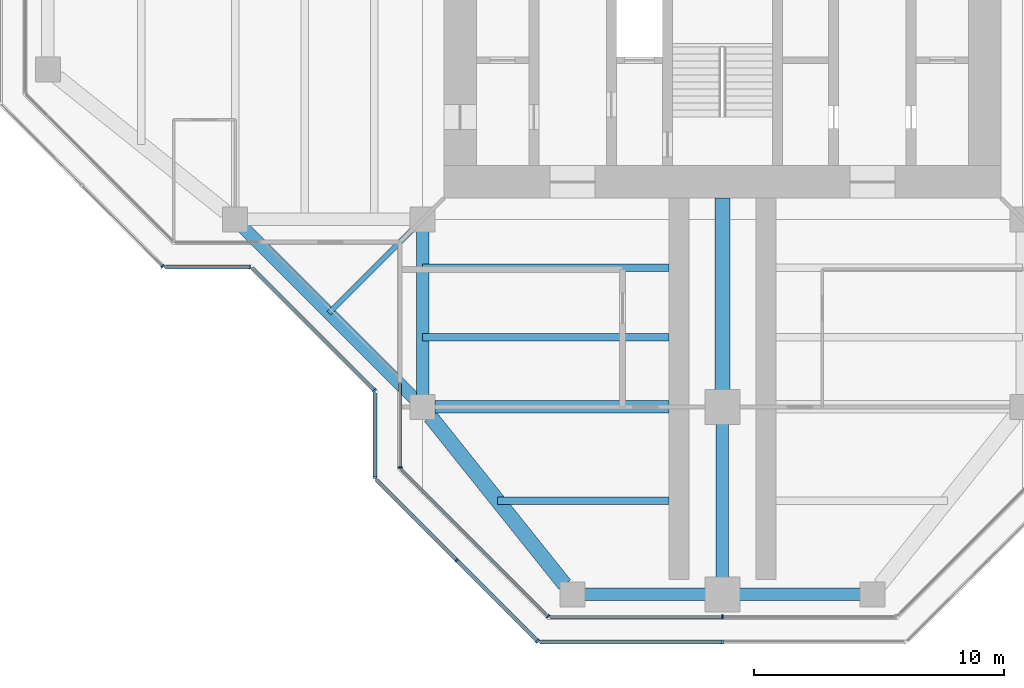
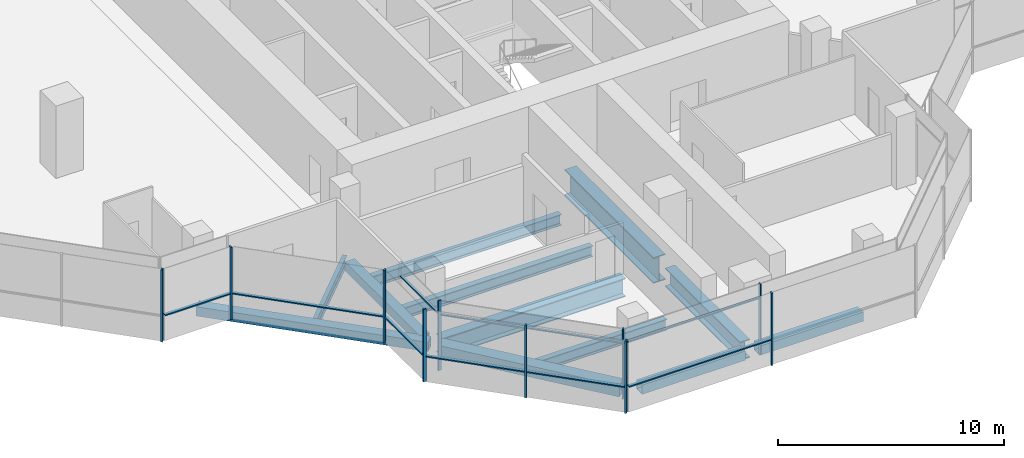
# One storey, part 2 of 15: 19 members, 12 beams, 9 elements without a shape of their own.
"""IFC4 building model written with IfcOpenShell, lengths in metres."""

from ifc_helpers import new_model, si_unit, direction, frame, origin, origin_2d, place, context, subcontext, project, spatial, rectangle, hollow_rectangle, i_section, extrude, material, material_profile, profile_set, type_object, element, aggregate, save


model = new_model("IFC4")

# Units and contexts
model_context = context("Model", 3, precision=1e-05, world=origin(), true_north=direction((0.0, 1.0)))
body_context = subcontext(model_context, "Body", "Model", "MODEL_VIEW")
ifc_project = project(units=[si_unit("LENGTHUNIT", "METRE"), si_unit("AREAUNIT", "SQUARE_METRE"), si_unit("VOLUMEUNIT", "CUBIC_METRE"), si_unit("PLANEANGLEUNIT", "RADIAN"), si_unit("MASSUNIT", "GRAM", prefix="KILO")], contexts=[model_context])

# Site, building, storey
site_placement = place(None, origin())
site = spatial("IfcSite", under=ifc_project, at=site_placement, CompositionType="ELEMENT")
building_placement = place(site_placement, origin())
building = spatial("IfcBuilding", under=site, at=building_placement, Name="Mizan Broadcast Tower", CompositionType="ELEMENT")
storey_placement = place(building_placement, frame((0.0, 0.0, 279.0)))
storey = spatial("IfcBuildingStorey", under=building, at=storey_placement, Name="L66", CompositionType="ELEMENT", Elevation=279.0)

# Beams
ifc_material_1 = material(Name="Steel S355", Category="steel")
ifc_material_profile_1 = material_profile(ifc_material_1, hollow_rectangle(XDim=0.5, YDim=0.5, WallThickness=0.030029296875, at=origin_2d()), Name="BOX 500x500x30")
ifc_profile_set_1 = profile_set([ifc_material_profile_1], Name="Steel S355")
beam_type_1 = type_object("IfcBeamType", Name="EDGE BEAM BOX 500x500x30", PredefinedType="SPANDREL", material=ifc_profile_set_1)
beam_1_placement = place(storey_placement, frame((-12.0, -12.449951171875, -0.3798828125), z_axis=(0.0, -1.0, 0.0), x_axis=(1.0, 0.0, 0.0)))
element("IfcBeam", 1, at=beam_1_placement, inside=storey, type_object=beam_type_1, Name="Edge beam BOX 500x500x30 L66 south arm", PredefinedType="SPANDREL", context=body_context, shape_type="SweptSolid", body=[
    extrude(hollow_rectangle(XDim=0.5, YDim=0.5, WallThickness=0.030029296875, at=origin_2d()), origin(), (0.0, 0.0, 1.0), 6.60009765625),
])
for number, where, z_axis, x_axis, name in (
    (2, (-5.639892578125, -27.0, -0.3798828125), (1.0, 0.0, 0.0), (0.0, 1.0, 0.0), "Edge beam BOX 500x500x30 L66 south arm"),
    (3, (5.639892578125, -27.0, -0.3798828125), (-1.0, 0.0, 0.0), (0.0, -1.0, 0.0), "Edge beam BOX 500x500x30 L66 south arm"),
):
    element("IfcBeam", number, at=place(storey_placement, frame(where, z_axis=z_axis, x_axis=x_axis)), inside=storey, type_object=beam_type_1, Name=name, PredefinedType="SPANDREL", context=body_context, shape_type="SweptSolid", body=[
        extrude(hollow_rectangle(XDim=0.5, YDim=0.5, WallThickness=0.030029296875, at=origin_2d()), origin(), (0.0, 0.0, 1.0), 5.27978515625),
    ])
beam_2_placement = place(storey_placement, frame((-19.5, -12.0, -0.3798828125), z_axis=(0.707106781187, -0.707106781187, 0.0), x_axis=(0.707106781187, 0.707106781187, 0.0)))
element("IfcBeam", 4, at=beam_2_placement, inside=storey, type_object=beam_type_1, Name="Winter garden edge beam L66 W", PredefinedType="SPANDREL", context=body_context, shape_type="SweptSolid", body=[
    extrude(hollow_rectangle(XDim=0.5, YDim=0.5, WallThickness=0.030029296875, at=origin_2d()), origin(), (0.0, 0.0, 1.0), 10.606689453125),
])
ifc_material_2 = material(Name="Steel S355", Category="steel")
ifc_material_profile_2 = material_profile(ifc_material_2, hollow_rectangle(XDim=0.60009765625, YDim=0.60009765625, WallThickness=0.030029296875, at=origin_2d()), Name="BOX 600x600x30")
ifc_profile_set_2 = profile_set([ifc_material_profile_2], Name="Steel S355")
beam_type_2 = type_object("IfcBeamType", Name="EDGE BEAM BOX 600x600x30", PredefinedType="SPANDREL", material=ifc_profile_set_2)
beam_3_placement = place(storey_placement, frame((-11.687744140625, -19.890380859375, -0.429931640625), z_axis=(0.62470196761, -0.780863273348, 0.0), x_axis=(0.780863273348, 0.62470196761, 0.0)))
element("IfcBeam", 5, at=beam_3_placement, inside=storey, type_object=beam_type_2, Name="Edge beam BOX 600x600x30 L66 south arm", PredefinedType="SPANDREL", context=body_context, shape_type="SweptSolid", body=[
    extrude(hollow_rectangle(XDim=0.60009765625, YDim=0.60009765625, WallThickness=0.030029296875, at=origin_2d()), origin(), (0.0, 0.0, 1.0), 8.60498046875),
])
ifc_material_3 = material(Name="Steel S460", Category="steel")
ifc_material_profile_3 = material_profile(ifc_material_3, i_section(OverallWidth=0.5, OverallDepth=1.0, WebThickness=0.02490234375, FlangeThickness=0.050048828125, at=origin_2d()), Name="WPG 1000x500")
ifc_profile_set_3 = profile_set([ifc_material_profile_3], Name="Steel S460")
beam_type_3 = type_object("IfcBeamType", Name="GIRDER WPG 1000x500", PredefinedType="BEAM", material=ifc_profile_set_3)
beam_4_placement = place(storey_placement, frame((0.0, -19.949951171875, -0.6298828125), z_axis=(0.0, -1.0, 0.0), x_axis=(1.0, 0.0, 0.0)))
element("IfcBeam", 6, at=beam_4_placement, inside=storey, type_object=beam_type_3, Name="Girder WPG 1000x500 L66 south arm", PredefinedType="BEAM", context=body_context, shape_type="SweptSolid", body=[
    extrude(i_section(OverallWidth=0.5, OverallDepth=1.0, WebThickness=0.02490234375, FlangeThickness=0.050048828125, at=origin_2d()), origin(), (0.0, 0.0, 1.0), 6.60009765625),
])
beam_5_placement = place(storey_placement, frame((-11.5, -19.5, -0.6298828125), z_axis=(1.0, 0.0, 0.0), x_axis=(0.0, 1.0, 0.0)))
element("IfcBeam", 7, at=beam_5_placement, inside=storey, type_object=beam_type_3, Name="Girder WPG 1000x500 L66 south arm", PredefinedType="BEAM", context=body_context, shape_type="SweptSolid", body=[
    extrude(i_section(OverallWidth=0.5, OverallDepth=1.0, WebThickness=0.02490234375, FlangeThickness=0.050048828125, at=origin_2d()), origin(), (0.0, 0.0, 1.0), 9.35009765625),
])
ifc_material_4 = material(Name="Steel S460", Category="steel")
ifc_material_profile_4 = material_profile(ifc_material_4, i_section(OverallWidth=0.60009765625, OverallDepth=1.39990234375, WebThickness=0.02490234375, FlangeThickness=0.06005859375, at=origin_2d()), Name="WPG 1400x600")
ifc_profile_set_4 = profile_set([ifc_material_profile_4], Name="Steel S460")
beam_type_4 = type_object("IfcBeamType", Name="GIRDER WPG 1400x600", PredefinedType="BEAM", material=ifc_profile_set_4)
beam_6_placement = place(storey_placement, frame((0.0, -11.14990234375, -0.830078125), z_axis=(0.0, -1.0, 0.0), x_axis=(1.0, 0.0, 0.0)))
element("IfcBeam", 8, at=beam_6_placement, inside=storey, type_object=beam_type_4, Name="Girder WPG 1400x600 L66 south arm", PredefinedType="BEAM", context=body_context, shape_type="SweptSolid", body=[
    extrude(i_section(OverallWidth=0.60009765625, OverallDepth=1.39990234375, WebThickness=0.02490234375, FlangeThickness=0.06005859375, at=origin_2d()), origin(), (0.0, 0.0, 1.0), 7.84912109375),
])

# Curtain wall, member
ifc_material_5 = material(Name="Aluminium framed glazing", Category="aluminium")
curtain_wall_type_1 = type_object("IfcCurtainWallType", Name="INNER SKIN TOP ZONE", PredefinedType="USERDEFINED", material=ifc_material_5)
curtain_wall_1_placement = place(storey_placement, origin())
curtain_wall_1 = element("IfcCurtainWall", 9, at=curtain_wall_1_placement, inside=storey, type_object=curtain_wall_type_1, Name="Inner skin top zone L66 S side", ObjectType="INNER SKIN TOP ZONE", PredefinedType="USERDEFINED")
ifc_material_6 = material(Name="Aluminium, pale anodised", Category="aluminium")
ifc_material_profile_5 = material_profile(ifc_material_6, rectangle(XDim=0.159912109375, YDim=0.06005859375, at=origin_2d()), Name="MULLION 160x60")
ifc_profile_set_5 = profile_set([ifc_material_profile_5], Name="Aluminium, pale anodised")
member_type_1 = type_object("IfcMemberType", Name="INNER SKIN MULLION 60x160", PredefinedType="MULLION", material=ifc_profile_set_5)
member_1_placement = place(storey_placement, frame((-12.89990234375, -21.928466796875, 0.0), z_axis=(0.0, 0.0, 1.0), x_axis=(1.0, 0.0, 0.0)))
member_1 = element("IfcMember", 10, at=member_1_placement, type_object=member_type_1, Name="Inner skin top zone L66 S side mullion 2", PredefinedType="MULLION", context=body_context, shape_type="SweptSolid", body=[
    extrude(rectangle(XDim=0.159912109375, YDim=0.06005859375, at=origin_2d()), origin(), (0.0, 0.0, 1.0), 3.77001953125),
])

curtain_wall_2_placement = place(storey_placement, origin())
curtain_wall_2 = element("IfcCurtainWall", 11, at=curtain_wall_2_placement, inside=storey, type_object=curtain_wall_type_1, Name="Inner skin top zone L66 S chamfer", ObjectType="INNER SKIN TOP ZONE", PredefinedType="USERDEFINED")
member_2_placement = place(storey_placement, frame((-6.979736328125, -27.87890625, 0.0), z_axis=(0.0, 0.0, 1.0), x_axis=(0.707106781187, 0.707106781187, 0.0)))
member_2 = element("IfcMember", 12, at=member_2_placement, type_object=member_type_1, Name="Inner skin top zone L66 S chamfer mullion 2", PredefinedType="MULLION", context=body_context, shape_type="SweptSolid", body=[
    extrude(rectangle(XDim=0.159912109375, YDim=0.06005859375, at=origin_2d()), origin(), (0.0, 0.0, 1.0), 3.77001953125),
])

curtain_wall_3_placement = place(storey_placement, origin())
curtain_wall_3 = element("IfcCurtainWall", 13, at=curtain_wall_3_placement, inside=storey, type_object=curtain_wall_type_1, Name="Inner skin top zone L66 S end", ObjectType="INNER SKIN TOP ZONE", PredefinedType="USERDEFINED")
member_3_placement = place(storey_placement, frame((0.0, -27.89990234375, 0.0), z_axis=(0.0, 0.0, 1.0), x_axis=(0.0, 1.0, 0.0)))
member_3 = element("IfcMember", 14, at=member_3_placement, type_object=member_type_1, Name="Inner skin top zone L66 S end mullion 2", PredefinedType="MULLION", context=body_context, shape_type="SweptSolid", body=[
    extrude(rectangle(XDim=0.159912109375, YDim=0.06005859375, at=origin_2d()), origin(), (0.0, 0.0, 1.0), 3.77001953125),
])

# Member
ifc_material_7 = material(Name="Aluminium, pale anodised", Category="aluminium")
ifc_material_profile_6 = material_profile(ifc_material_7, rectangle(XDim=0.1201171875, YDim=0.06005859375, at=origin_2d()), Name="TRANSOM 120x60")
ifc_profile_set_6 = profile_set([ifc_material_profile_6], Name="Aluminium, pale anodised")
member_type_2 = type_object("IfcMemberType", Name="INNER SKIN TRANSOM 60x120", PredefinedType="USERDEFINED", material=ifc_profile_set_6)
member_4_placement = place(storey_placement, frame((-12.89990234375, -18.56005859375, 3.030029296875), z_axis=(0.0, -1.0, 0.0), x_axis=(1.0, 0.0, 0.0)))
member_4 = element("IfcMember", 15, at=member_4_placement, type_object=member_type_2, Name="Inner skin top zone L66 S side transom 1.1", ObjectType="TRANSOM", PredefinedType="USERDEFINED", context=body_context, shape_type="SweptSolid", body=[
    extrude(rectangle(XDim=0.1201171875, YDim=0.06005859375, at=origin_2d()), origin(), (0.0, 0.0, 1.0), 3.338623046875),
])

aggregate(curtain_wall_1, [member_1, member_4])

member_5_placement = place(storey_placement, frame((-12.857666015625, -22.0009765625, 3.030029296875), z_axis=(0.707106781187, -0.707106781187, 0.0), x_axis=(0.707106781187, 0.707106781187, 0.0)))
member_5 = element("IfcMember", 16, at=member_5_placement, type_object=member_type_2, Name="Inner skin top zone L66 S chamfer transom 1.1", ObjectType="TRANSOM", PredefinedType="USERDEFINED", context=body_context, shape_type="SweptSolid", body=[
    extrude(rectangle(XDim=0.1201171875, YDim=0.06005859375, at=origin_2d()), origin(), (0.0, 0.0, 1.0), 8.28271484375),
])

aggregate(curtain_wall_2, [member_2, member_5])

member_6_placement = place(storey_placement, frame((-6.898681640625, -27.89990234375, 3.030029296875), z_axis=(1.0, 0.0, 0.0), x_axis=(0.0, 1.0, 0.0)))
member_6 = element("IfcMember", 17, at=member_6_placement, type_object=member_type_2, Name="Inner skin top zone L66 S end transom 1.1", ObjectType="TRANSOM", PredefinedType="USERDEFINED", context=body_context, shape_type="SweptSolid", body=[
    extrude(rectangle(XDim=0.1201171875, YDim=0.06005859375, at=origin_2d()), origin(), (0.0, 0.0, 1.0), 6.86865234375),
])

aggregate(curtain_wall_3, [member_3, member_6])

# Curtain wall, member
ifc_material_8 = material(Name="Aluminium framed glazing", Category="aluminium")
curtain_wall_type_2 = type_object("IfcCurtainWallType", Name="OUTER SKIN", PredefinedType="USERDEFINED", material=ifc_material_8)
curtain_wall_4_placement = place(storey_placement, origin())
curtain_wall_4 = element("IfcCurtainWall", 18, at=curtain_wall_4_placement, inside=storey, type_object=curtain_wall_type_2, Name="Outer skin L66 W chamfer", ObjectType="OUTER SKIN", PredefinedType="USERDEFINED")
ifc_material_9 = material(Name="Aluminium, pale anodised", Category="aluminium")
ifc_material_profile_7 = material_profile(ifc_material_9, rectangle(XDim=0.159912109375, YDim=0.080078125, at=origin_2d()), Name="MULLION 160x80")
ifc_profile_set_7 = profile_set([ifc_material_profile_7], Name="Aluminium, pale anodised")
member_type_3 = type_object("IfcMemberType", Name="OUTER SKIN MULLION 80x160", PredefinedType="MULLION", material=ifc_profile_set_7)
member_7_placement = place(storey_placement, frame((-22.401123046875, -13.871826171875, 0.0), z_axis=(0.0, 0.0, 1.0), x_axis=(0.707106781187, 0.707106781187, 0.0)))
member_7 = element("IfcMember", 19, at=member_7_placement, type_object=member_type_3, Name="Outer skin L66 W chamfer mullion 3", PredefinedType="MULLION", context=body_context, shape_type="SweptSolid", body=[
    extrude(rectangle(XDim=0.159912109375, YDim=0.080078125, at=origin_2d()), origin(), (0.0, 0.0, 1.0), 3.89990234375),
])
aggregate(curtain_wall_4, [member_7])

curtain_wall_5_placement = place(storey_placement, origin())
curtain_wall_5 = element("IfcCurtainWall", 20, at=curtain_wall_5_placement, inside=storey, type_object=curtain_wall_type_2, Name="Outer skin L66 W side", ObjectType="OUTER SKIN", PredefinedType="USERDEFINED")
member_8_placement = place(storey_placement, frame((-18.912841796875, -13.89990234375, 0.0), z_axis=(0.0, 0.0, 1.0), x_axis=(0.0, 1.0, 0.0)))
member_8 = element("IfcMember", 21, at=member_8_placement, type_object=member_type_3, Name="Outer skin L66 W side mullion 2", PredefinedType="MULLION", context=body_context, shape_type="SweptSolid", body=[
    extrude(rectangle(XDim=0.159912109375, YDim=0.080078125, at=origin_2d()), origin(), (0.0, 0.0, 1.0), 3.89990234375),
])

curtain_wall_6_placement = place(storey_placement, origin())
curtain_wall_6 = element("IfcCurtainWall", 22, at=curtain_wall_6_placement, inside=storey, type_object=curtain_wall_type_2, Name="Outer skin L66 W chamfer", ObjectType="OUTER SKIN", PredefinedType="USERDEFINED")
member_9_placement = place(storey_placement, frame((-13.92822265625, -18.844482421875, 0.0), z_axis=(0.0, 0.0, 1.0), x_axis=(0.707106781187, 0.707106781187, 0.0)))
member_9 = element("IfcMember", 23, at=member_9_placement, type_object=member_type_3, Name="Outer skin L66 W chamfer mullion 2", PredefinedType="MULLION", context=body_context, shape_type="SweptSolid", body=[
    extrude(rectangle(XDim=0.159912109375, YDim=0.080078125, at=origin_2d()), origin(), (0.0, 0.0, 1.0), 3.89990234375),
])

curtain_wall_7_placement = place(storey_placement, origin())
curtain_wall_7 = element("IfcCurtainWall", 24, at=curtain_wall_7_placement, inside=storey, type_object=curtain_wall_type_2, Name="Outer skin L66 S side", ObjectType="OUTER SKIN", PredefinedType="USERDEFINED")
member_10_placement = place(storey_placement, frame((-13.89990234375, -22.332763671875, 0.0), z_axis=(0.0, 0.0, 1.0), x_axis=(1.0, 0.0, 0.0)))
member_10 = element("IfcMember", 25, at=member_10_placement, type_object=member_type_3, Name="Outer skin L66 S side mullion 2", PredefinedType="MULLION", context=body_context, shape_type="SweptSolid", body=[
    extrude(rectangle(XDim=0.159912109375, YDim=0.080078125, at=origin_2d()), origin(), (0.0, 0.0, 1.0), 3.89990234375),
])

# Curtain wall, members
curtain_wall_8_placement = place(storey_placement, origin())
curtain_wall_8 = element("IfcCurtainWall", 26, at=curtain_wall_8_placement, inside=storey, type_object=curtain_wall_type_2, Name="Outer skin L66 S chamfer", ObjectType="OUTER SKIN", PredefinedType="USERDEFINED")
member_11_placement = place(storey_placement, frame((-10.636474609375, -25.636474609375, 0.0), z_axis=(0.0, 0.0, 1.0), x_axis=(0.707106781187, 0.707106781187, 0.0)))
member_11 = element("IfcMember", 27, at=member_11_placement, type_object=member_type_3, Name="Outer skin L66 S chamfer mullion 2", PredefinedType="MULLION", context=body_context, shape_type="SweptSolid", body=[
    extrude(rectangle(XDim=0.159912109375, YDim=0.080078125, at=origin_2d()), origin(), (0.0, 0.0, 1.0), 3.89990234375),
])
member_12_placement = place(storey_placement, frame((-7.401123046875, -28.871826171875, 0.0), z_axis=(0.0, 0.0, 1.0), x_axis=(0.707106781187, 0.707106781187, 0.0)))
member_12 = element("IfcMember", 28, at=member_12_placement, type_object=member_type_3, Name="Outer skin L66 S chamfer mullion 3", PredefinedType="MULLION", context=body_context, shape_type="SweptSolid", body=[
    extrude(rectangle(XDim=0.159912109375, YDim=0.080078125, at=origin_2d()), origin(), (0.0, 0.0, 1.0), 3.89990234375),
])

# Curtain wall, member
curtain_wall_9_placement = place(storey_placement, origin())
curtain_wall_9 = element("IfcCurtainWall", 29, at=curtain_wall_9_placement, inside=storey, type_object=curtain_wall_type_2, Name="Outer skin L66 S end", ObjectType="OUTER SKIN", PredefinedType="USERDEFINED")
member_13_placement = place(storey_placement, frame((0.0, -28.89990234375, 0.0), z_axis=(0.0, 0.0, 1.0), x_axis=(0.0, 1.0, 0.0)))
member_13 = element("IfcMember", 30, at=member_13_placement, type_object=member_type_3, Name="Outer skin L66 S end mullion 2", PredefinedType="MULLION", context=body_context, shape_type="SweptSolid", body=[
    extrude(rectangle(XDim=0.159912109375, YDim=0.080078125, at=origin_2d()), origin(), (0.0, 0.0, 1.0), 3.89990234375),
])

# Member
ifc_material_10 = material(Name="Aluminium, pale anodised", Category="aluminium")
ifc_material_profile_8 = material_profile(ifc_material_10, rectangle(XDim=0.159912109375, YDim=0.06005859375, at=origin_2d()), Name="TRANSOM 160x60")
ifc_profile_set_8 = profile_set([ifc_material_profile_8], Name="Aluminium, pale anodised")
member_type_4 = type_object("IfcMemberType", Name="OUTER SKIN TRANSOM 60x160", PredefinedType="USERDEFINED", material=ifc_profile_set_8)
member_14_placement = place(storey_placement, frame((-22.292724609375, -13.89990234375, 1.39990234375), z_axis=(1.0, 0.0, 0.0), x_axis=(0.0, 1.0, 0.0)))
member_14 = element("IfcMember", 31, at=member_14_placement, type_object=member_type_4, Name="Outer skin L66 W side transom 1.1", ObjectType="TRANSOM", PredefinedType="USERDEFINED", context=body_context, shape_type="SweptSolid", body=[
    extrude(rectangle(XDim=0.159912109375, YDim=0.06005859375, at=origin_2d()), origin(), (0.0, 0.0, 1.0), 3.33984375),
])

aggregate(curtain_wall_5, [member_8, member_14])

member_15_placement = place(storey_placement, frame((-18.816162109375, -13.95654296875, 1.39990234375), z_axis=(0.707106781187, -0.707106781187, 0.0), x_axis=(0.707106781187, 0.707106781187, 0.0)))
member_15 = element("IfcMember", 32, at=member_15_placement, type_object=member_type_4, Name="Outer skin L66 W chamfer transom 1.1", ObjectType="TRANSOM", PredefinedType="USERDEFINED", context=body_context, shape_type="SweptSolid", body=[
    extrude(rectangle(XDim=0.159912109375, YDim=0.06005859375, at=origin_2d()), origin(), (0.0, 0.0, 1.0), 6.87255859375),
])

aggregate(curtain_wall_6, [member_9, member_15])

member_16_placement = place(storey_placement, frame((-13.89990234375, -18.952880859375, 1.39990234375), z_axis=(0.0, -1.0, 0.0), x_axis=(1.0, 0.0, 0.0)))
member_16 = element("IfcMember", 33, at=member_16_placement, type_object=member_type_4, Name="Outer skin L66 S side transom 1.1", ObjectType="TRANSOM", PredefinedType="USERDEFINED", context=body_context, shape_type="SweptSolid", body=[
    extrude(rectangle(XDim=0.159912109375, YDim=0.06005859375, at=origin_2d()), origin(), (0.0, 0.0, 1.0), 3.33984375),
])

aggregate(curtain_wall_7, [member_10, member_16])

member_17_placement = place(storey_placement, frame((-13.843505859375, -22.429443359375, 1.39990234375), z_axis=(0.707106781187, -0.707106781187, 0.0), x_axis=(0.707106781187, 0.707106781187, 0.0)))
member_17 = element("IfcMember", 34, at=member_17_placement, type_object=member_type_4, Name="Outer skin L66 S chamfer transom 1.1", ObjectType="TRANSOM", PredefinedType="USERDEFINED", context=body_context, shape_type="SweptSolid", body=[
    extrude(rectangle(XDim=0.159912109375, YDim=0.06005859375, at=origin_2d()), origin(), (0.0, 0.0, 1.0), 4.495361328125),
])

member_18_placement = place(storey_placement, frame((-10.608154296875, -25.664794921875, 1.39990234375), z_axis=(0.707106781187, -0.707106781187, 0.0), x_axis=(0.707106781187, 0.707106781187, 0.0)))
member_18 = element("IfcMember", 35, at=member_18_placement, type_object=member_type_4, Name="Outer skin L66 S chamfer transom 2.1", ObjectType="TRANSOM", PredefinedType="USERDEFINED", context=body_context, shape_type="SweptSolid", body=[
    extrude(rectangle(XDim=0.159912109375, YDim=0.06005859375, at=origin_2d()), origin(), (0.0, 0.0, 1.0), 4.495361328125),
])

aggregate(curtain_wall_8, [member_11, member_12, member_17, member_18])

member_19_placement = place(storey_placement, frame((-7.292724609375, -28.89990234375, 1.39990234375), z_axis=(1.0, 0.0, 0.0), x_axis=(0.0, 1.0, 0.0)))
member_19 = element("IfcMember", 36, at=member_19_placement, type_object=member_type_4, Name="Outer skin L66 S end transom 1.1", ObjectType="TRANSOM", PredefinedType="USERDEFINED", context=body_context, shape_type="SweptSolid", body=[
    extrude(rectangle(XDim=0.159912109375, YDim=0.06005859375, at=origin_2d()), origin(), (0.0, 0.0, 1.0), 7.252685546875),
])

aggregate(curtain_wall_9, [member_13, member_19])

# Beams
ifc_material_11 = material(Name="Steel S355", Category="steel")
ifc_material_profile_9 = material_profile(ifc_material_11, i_section(OverallWidth=0.300048828125, OverallDepth=0.590087890625, WebThickness=0.012939453125, FlangeThickness=0.02490234375, FilletRadius=0.027099609375, at=origin_2d()), Name="HEA 600")
ifc_profile_set_9 = profile_set([ifc_material_profile_9], Name="Steel S355")
beam_type_5 = type_object("IfcBeamType", Name="SECONDARY BEAM HEA 600", PredefinedType="JOIST", material=ifc_profile_set_9)
for number, where, z_axis, x_axis, name in (
    (37, (-12.0, -13.933349609375, -0.425048828125), (1.0, 0.0, 0.0), (0.0, 1.0, 0.0), "Secondary beam HEA 600 L66 south arm"),
    (38, (-12.0, -16.716552734375, -0.425048828125), (1.0, 0.0, 0.0), (0.0, 1.0, 0.0), "Secondary beam HEA 600 L66 south arm"),
):
    element("IfcBeam", number, at=place(storey_placement, frame(where, z_axis=z_axis, x_axis=x_axis)), inside=storey, type_object=beam_type_5, Name=name, PredefinedType="JOIST", context=body_context, shape_type="SweptSolid", body=[
        extrude(i_section(OverallWidth=0.300048828125, OverallDepth=0.590087890625, WebThickness=0.012939453125, FlangeThickness=0.02490234375, FilletRadius=0.027099609375, at=origin_2d()), origin(), (0.0, 0.0, 1.0), 9.85009765625),
    ])
beam_7_placement = place(storey_placement, frame((-9.0, -23.25, -0.425048828125), z_axis=(1.0, 0.0, 0.0), x_axis=(0.0, 1.0, 0.0)))
element("IfcBeam", 39, at=beam_7_placement, inside=storey, type_object=beam_type_5, Name="Secondary beam HEA 600 L66 south arm", PredefinedType="JOIST", context=body_context, shape_type="SweptSolid", body=[
    extrude(i_section(OverallWidth=0.300048828125, OverallDepth=0.590087890625, WebThickness=0.012939453125, FlangeThickness=0.02490234375, FilletRadius=0.027099609375, at=origin_2d()), origin(), (0.0, 0.0, 1.0), 6.85009765625),
])
ifc_material_12 = material(Name="Steel S355", Category="steel")
ifc_material_profile_10 = material_profile(ifc_material_12, i_section(OverallWidth=0.2099609375, OverallDepth=0.550048828125, WebThickness=0.010986328125, FlangeThickness=0.01708984375, FilletRadius=0.02392578125, at=origin_2d()), Name="IPE 550")
ifc_profile_set_10 = profile_set([ifc_material_profile_10], Name="Steel S355")
beam_type_6 = type_object("IfcBeamType", Name="SECONDARY BEAM IPE 550", PredefinedType="JOIST", material=ifc_profile_set_10)
beam_8_placement = place(storey_placement, frame((-12.0, -12.0, -0.405029296875), z_axis=(-0.707106781187, -0.707106781187, 0.0), x_axis=(0.707106781187, -0.707106781187, 0.0)))
element("IfcBeam", 40, at=beam_8_placement, inside=storey, type_object=beam_type_6, Name="Winter garden beam L66 W", PredefinedType="JOIST", context=body_context, shape_type="SweptSolid", body=[
    extrude(i_section(OverallWidth=0.2099609375, OverallDepth=0.550048828125, WebThickness=0.010986328125, FlangeThickness=0.01708984375, FilletRadius=0.02392578125, at=origin_2d()), origin(), (0.0, 0.0, 1.0), 5.30322265625),
])

save(model, "model.ifc")
